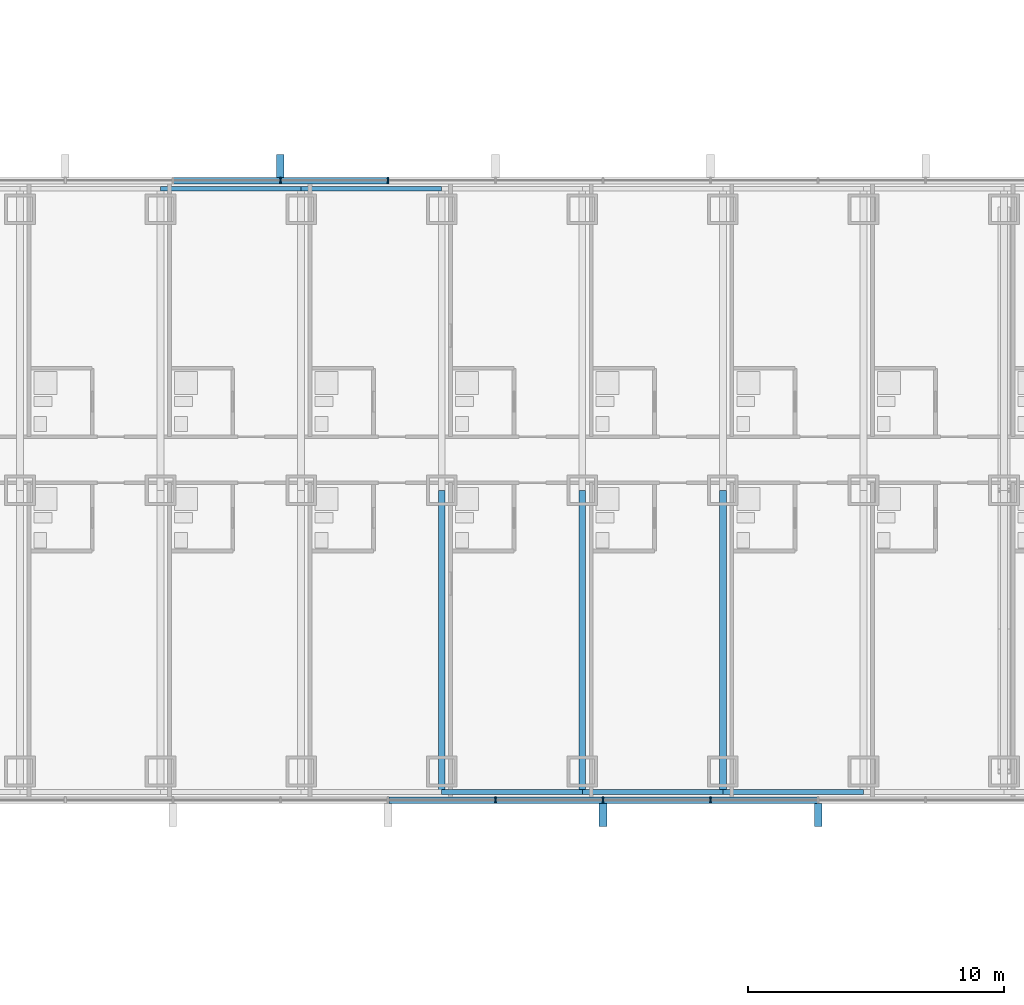
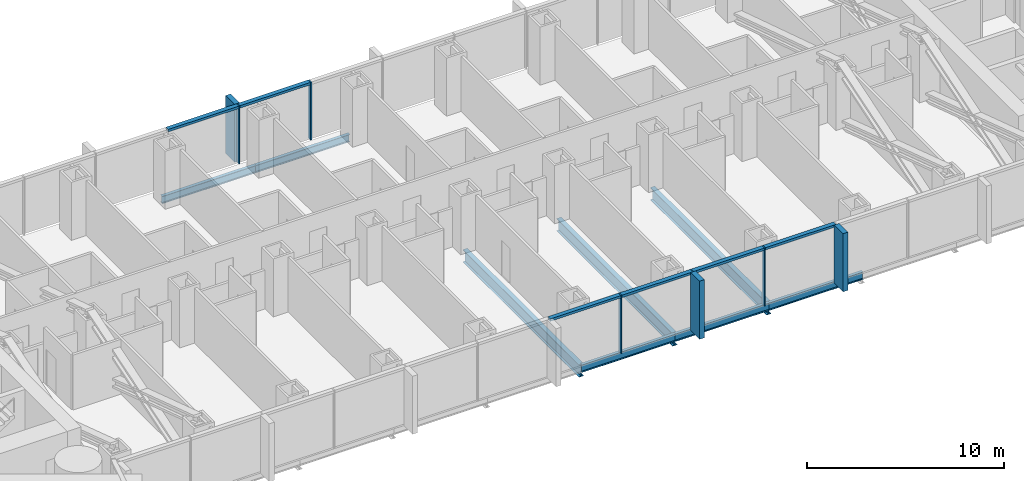
# One storey, part 6 of 23: 14 members, 8 beams, 2 elements without a shape of their own.
"""IFC4 building model written with IfcOpenShell, lengths in metres."""

from ifc_helpers import new_model, si_unit, direction, frame, origin, origin_2d, place, context, subcontext, project, spatial, rectangle, i_section, extrude, material, material_profile, profile_set, type_object, element, aggregate, save


model = new_model("IFC4")

# Units and contexts
model_context = context("Model", 3, precision=1e-05, world=origin(), true_north=direction((0.0, 1.0)))
body_context = subcontext(model_context, "Body", "Model", "MODEL_VIEW")
ifc_project = project(units=[si_unit("LENGTHUNIT", "METRE"), si_unit("AREAUNIT", "SQUARE_METRE"), si_unit("VOLUMEUNIT", "CUBIC_METRE"), si_unit("PLANEANGLEUNIT", "RADIAN"), si_unit("MASSUNIT", "GRAM", prefix="KILO")], contexts=[model_context])

# Site, building, storey
site_placement = place(None, origin())
site = spatial("IfcSite", under=ifc_project, at=site_placement, CompositionType="ELEMENT")
building_placement = place(site_placement, origin())
building = spatial("IfcBuilding", under=site, at=building_placement, Name="Lancet Gate Hotel", CompositionType="ELEMENT")
storey_placement = place(building_placement, frame((0.0, 0.0, 215.300048828125)))
storey = spatial("IfcBuildingStorey", under=building, at=storey_placement, Name="L57", CompositionType="ELEMENT", Elevation=215.300048828125)

# Curtain wall, members
ifc_material_1 = material(Name="Aluminium curtain wall", Category="aluminium")
curtain_wall_type = type_object("IfcCurtainWallType", Name="Bridge block curtain wall", PredefinedType="USERDEFINED", material=ifc_material_1)
curtain_wall_1_placement = place(storey_placement, origin())
curtain_wall_1 = element("IfcCurtainWall", 1, at=curtain_wall_1_placement, inside=storey, type_object=curtain_wall_type, Name="Bridge block L57 curtain wall S", ObjectType="UNITISED CURTAIN WALL", PredefinedType="USERDEFINED")
ifc_material_2 = material(Name="Aluminium mullion", Category="aluminium")
ifc_material_profile_1 = material_profile(ifc_material_2, rectangle(XDim=0.06494140625, YDim=0.25, at=origin_2d()), Name="MULLION 65x250")
ifc_profile_set_1 = profile_set([ifc_material_profile_1], Name="Aluminium mullion")
member_type_1 = type_object("IfcMemberType", Name="Aluminium mullion 65x250", PredefinedType="MULLION", material=ifc_profile_set_1)
member_1_placement = place(storey_placement, frame((2.103759765625, -12.1201171875, 0.0), z_axis=(0.0, 0.0, 1.0), x_axis=(1.0, 0.0, 0.0)))
member_1 = element("IfcMember", 2, at=member_1_placement, type_object=member_type_1, Name="Bridge block L57 curtain wall S mullion 8", PredefinedType="MULLION", context=body_context, shape_type="SweptSolid", body=[
    extrude(rectangle(XDim=0.06494140625, YDim=0.25, at=origin_2d()), origin(), (0.0, 0.0, 1.0), 3.599853515625),
])
member_2_placement = place(storey_placement, frame((6.3115234375, -12.1201171875, 0.0), z_axis=(0.0, 0.0, 1.0), x_axis=(1.0, 0.0, 0.0)))
member_2 = element("IfcMember", 3, at=member_2_placement, type_object=member_type_1, Name="Bridge block L57 curtain wall S mullion 9", PredefinedType="MULLION", context=body_context, shape_type="SweptSolid", body=[
    extrude(rectangle(XDim=0.06494140625, YDim=0.25, at=origin_2d()), origin(), (0.0, 0.0, 1.0), 3.599853515625),
])
member_3_placement = place(storey_placement, frame((10.519287109375, -12.1201171875, 0.0), z_axis=(0.0, 0.0, 1.0), x_axis=(1.0, 0.0, 0.0)))
member_3 = element("IfcMember", 4, at=member_3_placement, type_object=member_type_1, Name="Bridge block L57 curtain wall S mullion 10", PredefinedType="MULLION", context=body_context, shape_type="SweptSolid", body=[
    extrude(rectangle(XDim=0.06494140625, YDim=0.25, at=origin_2d()), origin(), (0.0, 0.0, 1.0), 3.599853515625),
])

curtain_wall_2_placement = place(storey_placement, origin())
curtain_wall_2 = element("IfcCurtainWall", 5, at=curtain_wall_2_placement, inside=storey, type_object=curtain_wall_type, Name="Bridge block L57 curtain wall N", ObjectType="UNITISED CURTAIN WALL", PredefinedType="USERDEFINED")
member_4_placement = place(storey_placement, frame((-2.103759765625, 12.1201171875, 0.0), z_axis=(0.0, 0.0, 1.0), x_axis=(-1.0, 0.0, 0.0)))
member_4 = element("IfcMember", 6, at=member_4_placement, type_object=member_type_1, Name="Bridge block L57 curtain wall N mullion 8", PredefinedType="MULLION", context=body_context, shape_type="SweptSolid", body=[
    extrude(rectangle(XDim=0.06494140625, YDim=0.25, at=origin_2d()), origin(), (0.0, 0.0, 1.0), 3.599853515625),
])
member_5_placement = place(storey_placement, frame((-6.3115234375, 12.1201171875, 0.0), z_axis=(0.0, 0.0, 1.0), x_axis=(-1.0, 0.0, 0.0)))
member_5 = element("IfcMember", 7, at=member_5_placement, type_object=member_type_1, Name="Bridge block L57 curtain wall N mullion 9", PredefinedType="MULLION", context=body_context, shape_type="SweptSolid", body=[
    extrude(rectangle(XDim=0.06494140625, YDim=0.25, at=origin_2d()), origin(), (0.0, 0.0, 1.0), 3.599853515625),
])

# Member
ifc_material_3 = material(Name="Aluminium transom", Category="aluminium")
ifc_material_profile_2 = material_profile(ifc_material_3, rectangle(XDim=0.25, YDim=0.14990234375, at=origin_2d()), Name="TRANSOM 250x150")
ifc_profile_set_2 = profile_set([ifc_material_profile_2], Name="Aluminium transom")
member_type_2 = type_object("IfcMemberType", Name="Aluminium transom 250x150", PredefinedType="USERDEFINED", material=ifc_profile_set_2)
member_6_placement = place(storey_placement, frame((-2.0712890625, -12.1201171875, 3.52490234375), z_axis=(1.0, 0.0, 0.0), x_axis=(0.0, 1.0, 0.0)))
member_6 = element("IfcMember", 8, at=member_6_placement, type_object=member_type_2, Name="Bridge block L57 curtain wall S transom 7", ObjectType="TRANSOM", PredefinedType="USERDEFINED", context=body_context, shape_type="SweptSolid", body=[
    extrude(rectangle(XDim=0.25, YDim=0.14990234375, at=origin_2d()), origin(), (0.0, 0.0, 1.0), 4.142578125),
])

member_7_placement = place(storey_placement, frame((2.13623046875, -12.1201171875, 3.52490234375), z_axis=(1.0, 0.0, 0.0), x_axis=(0.0, 1.0, 0.0)))
member_7 = element("IfcMember", 9, at=member_7_placement, type_object=member_type_2, Name="Bridge block L57 curtain wall S transom 8", ObjectType="TRANSOM", PredefinedType="USERDEFINED", context=body_context, shape_type="SweptSolid", body=[
    extrude(rectangle(XDim=0.25, YDim=0.14990234375, at=origin_2d()), origin(), (0.0, 0.0, 1.0), 4.142822265625),
])

member_8_placement = place(storey_placement, frame((6.343994140625, -12.1201171875, 3.52490234375), z_axis=(1.0, 0.0, 0.0), x_axis=(0.0, 1.0, 0.0)))
member_8 = element("IfcMember", 10, at=member_8_placement, type_object=member_type_2, Name="Bridge block L57 curtain wall S transom 9", ObjectType="TRANSOM", PredefinedType="USERDEFINED", context=body_context, shape_type="SweptSolid", body=[
    extrude(rectangle(XDim=0.25, YDim=0.14990234375, at=origin_2d()), origin(), (0.0, 0.0, 1.0), 4.142822265625),
])

member_9_placement = place(storey_placement, frame((10.5517578125, -12.1201171875, 3.52490234375), z_axis=(1.0, 0.0, 0.0), x_axis=(0.0, 1.0, 0.0)))
member_9 = element("IfcMember", 11, at=member_9_placement, type_object=member_type_2, Name="Bridge block L57 curtain wall S transom 10", ObjectType="TRANSOM", PredefinedType="USERDEFINED", context=body_context, shape_type="SweptSolid", body=[
    extrude(rectangle(XDim=0.25, YDim=0.14990234375, at=origin_2d()), origin(), (0.0, 0.0, 1.0), 4.142578125),
])

member_10_placement = place(storey_placement, frame((-2.13623046875, 12.1201171875, 3.52490234375), z_axis=(-1.0, 0.0, 0.0), x_axis=(0.0, -1.0, 0.0)))
member_10 = element("IfcMember", 12, at=member_10_placement, type_object=member_type_2, Name="Bridge block L57 curtain wall N transom 8", ObjectType="TRANSOM", PredefinedType="USERDEFINED", context=body_context, shape_type="SweptSolid", body=[
    extrude(rectangle(XDim=0.25, YDim=0.14990234375, at=origin_2d()), origin(), (0.0, 0.0, 1.0), 4.142822265625),
])

member_11_placement = place(storey_placement, frame((-6.343994140625, 12.1201171875, 3.52490234375), z_axis=(-1.0, 0.0, 0.0), x_axis=(0.0, -1.0, 0.0)))
member_11 = element("IfcMember", 13, at=member_11_placement, type_object=member_type_2, Name="Bridge block L57 curtain wall N transom 9", ObjectType="TRANSOM", PredefinedType="USERDEFINED", context=body_context, shape_type="SweptSolid", body=[
    extrude(rectangle(XDim=0.25, YDim=0.14990234375, at=origin_2d()), origin(), (0.0, 0.0, 1.0), 4.142822265625),
])

# Beams
ifc_material_4 = material(Name="Steel S355", Category="steel")
ifc_material_profile_3 = material_profile(ifc_material_4, i_section(OverallWidth=0.19140625, OverallDepth=0.4599609375, WebThickness=0.010009765625, FlangeThickness=0.01611328125, FilletRadius=0.01025390625, at=origin_2d()), Name="UKB 457x191x82")
ifc_profile_set_3 = profile_set([ifc_material_profile_3], Name="Steel S355")
beam_type_1 = type_object("IfcBeamType", Name="Block edge beam UKB 457x191x82", PredefinedType="SPANDREL", material=ifc_profile_set_3)
for number, where, z_axis, x_axis, name in (
    (14, (-11.0, 11.800048828125, -0.429931640625), (1.0, 0.0, 0.0), (0.0, 1.0, 0.0), "Block edge beam N 3-4 L57"),
    (15, (-5.5, 11.800048828125, -0.429931640625), (1.0, 0.0, 0.0), (0.0, 1.0, 0.0), "Block edge beam N 4-5 L57"),
    (16, (0.0, -11.800048828125, -0.429931640625), (1.0, 0.0, 0.0), (0.0, 1.0, 0.0), "Block edge beam S 5-6 L57"),
    (17, (5.5, -11.800048828125, -0.429931640625), (1.0, 0.0, 0.0), (0.0, 1.0, 0.0), "Block edge beam S 6-7 L57"),
    (18, (11.0, -11.800048828125, -0.429931640625), (1.0, 0.0, 0.0), (0.0, 1.0, 0.0), "Block edge beam S 7-8 L57"),
):
    element("IfcBeam", number, at=place(storey_placement, frame(where, z_axis=z_axis, x_axis=x_axis)), inside=storey, type_object=beam_type_1, Name=name, PredefinedType="SPANDREL", context=body_context, shape_type="SweptSolid", body=[
        extrude(i_section(OverallWidth=0.19140625, OverallDepth=0.4599609375, WebThickness=0.010009765625, FlangeThickness=0.01611328125, FilletRadius=0.01025390625, at=origin_2d()), origin(), (0.0, 0.0, 1.0), 5.5),
    ])
ifc_material_5 = material(Name="Steel S355", Category="steel")
ifc_material_profile_4 = material_profile(ifc_material_5, i_section(OverallWidth=0.26806640625, OverallDepth=0.769775390625, WebThickness=0.015625, FlangeThickness=0.025390625, FilletRadius=0.0166015625, at=origin_2d()), Name="UKB 762x267x197")
ifc_profile_set_4 = profile_set([ifc_material_profile_4], Name="Steel S355")
beam_type_2 = type_object("IfcBeamType", Name="Block secondary beam UKB 762x267x197", PredefinedType="JOIST", material=ifc_profile_set_4)
for number, where, z_axis, x_axis, name in (
    (19, (0.0, -11.800048828125, -0.5849609375), (0.0, 1.0, 0.0), (-1.0, 0.0, 0.0), "Block beam x5 S L57"),
    (20, (5.5, -11.800048828125, -0.5849609375), (0.0, 1.0, 0.0), (-1.0, 0.0, 0.0), "Block beam x6 S L57"),
    (21, (11.0, -11.800048828125, -0.5849609375), (0.0, 1.0, 0.0), (-1.0, 0.0, 0.0), "Block beam x7 S L57"),
):
    element("IfcBeam", number, at=place(storey_placement, frame(where, z_axis=z_axis, x_axis=x_axis)), inside=storey, type_object=beam_type_2, Name=name, PredefinedType="JOIST", context=body_context, shape_type="SweptSolid", body=[
        extrude(i_section(OverallWidth=0.26806640625, OverallDepth=0.769775390625, WebThickness=0.015625, FlangeThickness=0.025390625, FilletRadius=0.0166015625, at=origin_2d()), origin(), (0.0, 0.0, 1.0), 11.800048828125),
    ])

# Member
ifc_material_6 = material(Name="Precast concrete C50/60", Category="concrete")
ifc_material_profile_5 = material_profile(ifc_material_6, rectangle(XDim=0.300048828125, YDim=0.89990234375, at=origin_2d()), Name="FIN 300x900")
ifc_profile_set_5 = profile_set([ifc_material_profile_5], Name="Precast concrete C50/60")
member_type_3 = type_object("IfcMemberType", Name="Exposed concrete fin 300x900", PredefinedType="USERDEFINED", material=ifc_profile_set_5)
member_12_placement = place(storey_placement, frame((6.3115234375, -12.695068359375, 0.0), z_axis=(0.0, 0.0, 1.0), x_axis=(1.0, 0.0, 0.0)))
member_12 = element("IfcMember", 22, at=member_12_placement, type_object=member_type_3, Name="Bridge block L57 curtain wall S fin 9", ObjectType="FIN", PredefinedType="USERDEFINED", context=body_context, shape_type="SweptSolid", body=[
    extrude(rectangle(XDim=0.300048828125, YDim=0.89990234375, at=origin_2d()), origin(), (0.0, 0.0, 1.0), 3.599853515625),
])

member_13_placement = place(storey_placement, frame((14.726806640625, -12.695068359375, 0.0), z_axis=(0.0, 0.0, 1.0), x_axis=(1.0, 0.0, 0.0)))
member_13 = element("IfcMember", 23, at=member_13_placement, type_object=member_type_3, Name="Bridge block L57 curtain wall S fin 11", ObjectType="FIN", PredefinedType="USERDEFINED", context=body_context, shape_type="SweptSolid", body=[
    extrude(rectangle(XDim=0.300048828125, YDim=0.89990234375, at=origin_2d()), origin(), (0.0, 0.0, 1.0), 3.599853515625),
])

aggregate(curtain_wall_1, [member_1, member_2, member_12, member_3, member_13, member_6, member_7, member_8, member_9])

member_14_placement = place(storey_placement, frame((-6.3115234375, 12.695068359375, 0.0), z_axis=(0.0, 0.0, 1.0), x_axis=(-1.0, 0.0, 0.0)))
member_14 = element("IfcMember", 24, at=member_14_placement, type_object=member_type_3, Name="Bridge block L57 curtain wall N fin 9", ObjectType="FIN", PredefinedType="USERDEFINED", context=body_context, shape_type="SweptSolid", body=[
    extrude(rectangle(XDim=0.300048828125, YDim=0.89990234375, at=origin_2d()), origin(), (0.0, 0.0, 1.0), 3.599853515625),
])

aggregate(curtain_wall_2, [member_4, member_5, member_14, member_10, member_11])

save(model, "model.ifc")
